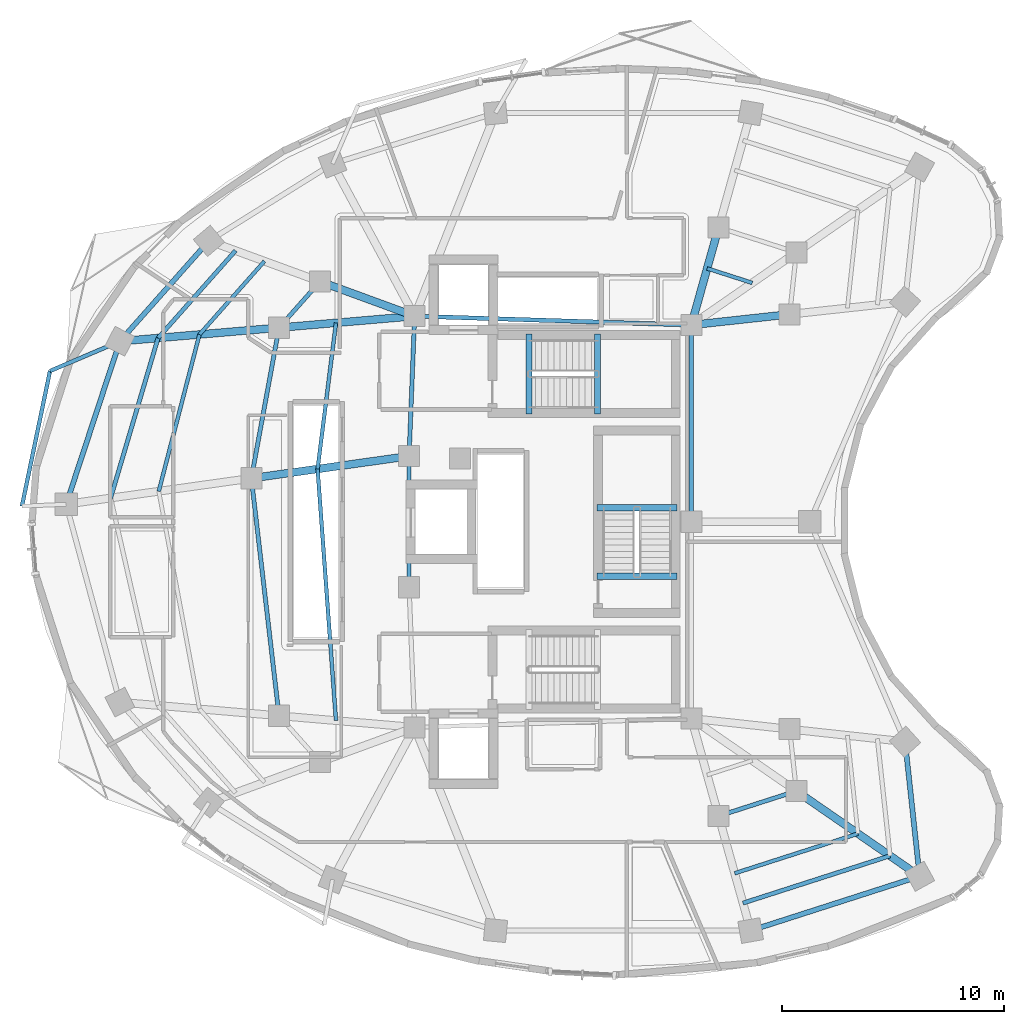
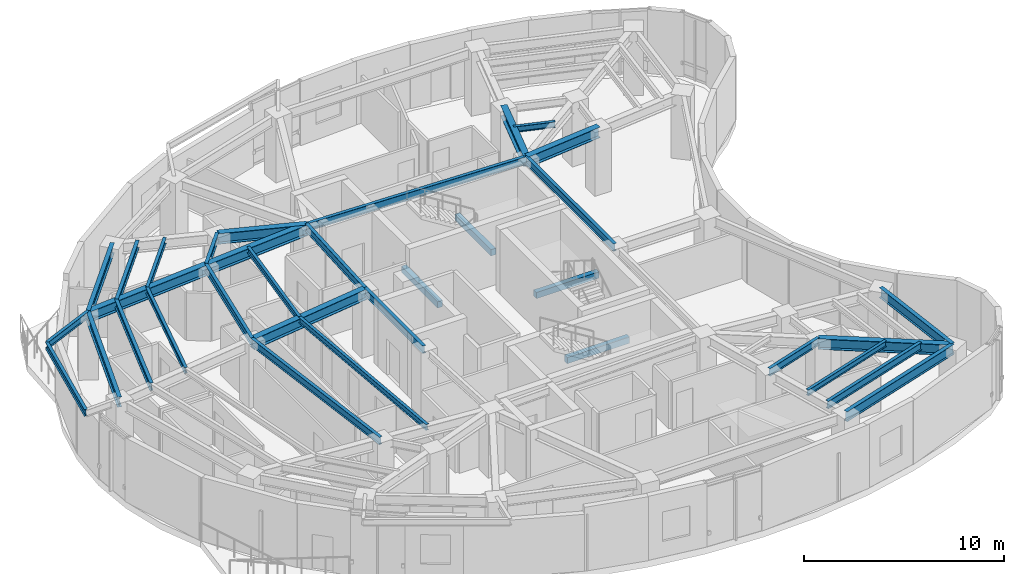
# One storey, part 3 of 13: 34 beams.
"""IFC4 building model written with IfcOpenShell, lengths in metres."""

from ifc_helpers import new_model, si_unit, direction, frame, origin, origin_2d, place, context, subcontext, project, spatial, rectangle, i_section, extrude, material, material_profile, profile_set, type_object, element, save


model = new_model("IFC4")

# Units and contexts
model_context = context("Model", 3, precision=1e-05, world=origin(), true_north=direction((0.0, 1.0)))
body_context = subcontext(model_context, "Body", "Model", "MODEL_VIEW")
ifc_project = project(units=[si_unit("LENGTHUNIT", "METRE"), si_unit("AREAUNIT", "SQUARE_METRE"), si_unit("VOLUMEUNIT", "CUBIC_METRE"), si_unit("PLANEANGLEUNIT", "RADIAN"), si_unit("MASSUNIT", "GRAM", prefix="KILO")], contexts=[model_context])

# Site, building, storey
site_placement = place(None, origin())
site = spatial("IfcSite", under=ifc_project, at=site_placement, CompositionType="ELEMENT")
building_placement = place(site_placement, origin())
building = spatial("IfcBuilding", under=site, at=building_placement, Name="Korentha Bioscience Tower", CompositionType="ELEMENT")
storey_placement = place(building_placement, frame((0.0, 0.0, 166.800048828125)))
storey = spatial("IfcBuildingStorey", under=building, at=storey_placement, Name="L38", CompositionType="ELEMENT", Elevation=166.800048828125)

# Beams
ifc_material_1 = material(Name="Concrete C50", Category="concrete")
ifc_material_profile_1 = material_profile(ifc_material_1, rectangle(XDim=0.280029296875, YDim=0.3798828125, at=origin_2d()), Name="Concrete C50")
ifc_profile_set_1 = profile_set([ifc_material_profile_1], Name="Concrete C50 (ST-HB380)")
beam_type_1 = type_object("IfcBeamType", Name="Concrete Stair Header Beam RC 280x380", PredefinedType="BEAM", material=ifc_profile_set_1)
for number, where, z_axis, x_axis, name in (
    (1, (30.25, 31.85009765625, -0.18994140625), (0.0, 1.0, 0.0), (-1.0, 0.0, 0.0), "L38 ST-1 Concrete Stair Header Beam"),
    (2, (33.330078125, 31.85009765625, 1.909912109375), (0.0, 1.0, 0.0), (-1.0, 0.0, 0.0), "L38 ST-1 Half-Landing Header Beam 1"),
    (3, (36.89990234375, 24.550048828125, -0.18994140625), (-1.0, 0.0, 0.0), (0.0, -1.0, 0.0), "L38 ST-3 Concrete Stair Header Beam"),
    (4, (36.89990234375, 27.6298828125, 1.909912109375), (-1.0, 0.0, 0.0), (0.0, -1.0, 0.0), "L38 ST-3 Half-Landing Header Beam 1"),
):
    element("IfcBeam", number, at=place(storey_placement, frame(where, z_axis=z_axis, x_axis=x_axis)), inside=storey, type_object=beam_type_1, Name=name, PredefinedType="BEAM", context=body_context, shape_type="SweptSolid", body=[
        extrude(rectangle(XDim=0.280029296875, YDim=0.3798828125, at=origin_2d()), origin(), (0.0, 0.0, 1.0), 3.599853515625),
    ])
ifc_material_2 = material(Name="Steel S355", Category="steel")
ifc_material_profile_2 = material_profile(ifc_material_2, i_section(OverallWidth=0.18994140625, OverallDepth=0.45703125, WebThickness=0.009033203125, FlangeThickness=0.014404296875, at=origin_2d()), Name="Steel S355")
ifc_profile_set_2 = profile_set([ifc_material_profile_2], Name="Steel S355 (MB-460)")
beam_type_2 = type_object("IfcBeamType", Name="Mid-Ring Tie Girder W460x74", PredefinedType="BEAM", material=ifc_profile_set_2)
beam_1_placement = place(storey_placement, frame((20.84228515625, 37.807861328125, 3.67138671875), z_axis=(-0.663512238321, -0.748165429299, 0.0), x_axis=(0.748165429299, -0.663512238321, 0.0)))
element("IfcBeam", 5, at=beam_1_placement, inside=storey, type_object=beam_type_2, Name="L38 Mid-Ring Tie Girder 05", PredefinedType="BEAM", context=body_context, shape_type="SweptSolid", body=[
    extrude(i_section(OverallWidth=0.18994140625, OverallDepth=0.45703125, WebThickness=0.009033203125, FlangeThickness=0.014404296875, at=origin_2d()), origin(), (0.0, 0.0, 1.0), 2.77734375),
])
beam_2_placement = place(storey_placement, frame((18.99951171875, 35.72998046875, 3.67138671875), z_axis=(-0.180880998363, -0.98350498953, 0.0), x_axis=(0.98350498953, -0.180880998363, 0.0)))
element("IfcBeam", 6, at=beam_2_placement, inside=storey, type_object=beam_type_2, Name="L38 Mid-Ring Tie Girder 06", PredefinedType="BEAM", context=body_context, shape_type="SweptSolid", body=[
    extrude(i_section(OverallWidth=0.18994140625, OverallDepth=0.45703125, WebThickness=0.009033203125, FlangeThickness=0.014404296875, at=origin_2d()), origin(), (0.0, 0.0, 1.0), 6.888916015625),
])
beam_3_placement = place(storey_placement, frame((17.75341796875, 28.95458984375, 3.67138671875), z_axis=(0.115840395246, -0.993267840428, 0.0), x_axis=(0.993267840428, 0.115840395246, 0.0)))
element("IfcBeam", 7, at=beam_3_placement, inside=storey, type_object=beam_type_2, Name="L38 Mid-Ring Tie Girder 07", PredefinedType="BEAM", context=body_context, shape_type="SweptSolid", body=[
    extrude(i_section(OverallWidth=0.18994140625, OverallDepth=0.45703125, WebThickness=0.009033203125, FlangeThickness=0.014404296875, at=origin_2d()), origin(), (0.0, 0.0, 1.0), 10.757080078125),
])
beam_4_placement = place(storey_placement, frame((38.77880859375, 13.7587890625, 3.67138671875), z_axis=(0.952000195343, 0.306097415976, 0.0), x_axis=(-0.306097415976, 0.952000195343, 0.0)))
element("IfcBeam", 8, at=beam_4_placement, inside=storey, type_object=beam_type_2, Name="L38 Mid-Ring Tie Girder 12", PredefinedType="BEAM", context=body_context, shape_type="SweptSolid", body=[
    extrude(i_section(OverallWidth=0.18994140625, OverallDepth=0.45703125, WebThickness=0.009033203125, FlangeThickness=0.014404296875, at=origin_2d()), origin(), (0.0, 0.0, 1.0), 3.672119140625),
])
beam_5_placement = place(storey_placement, frame((37.550048828125, 35.85009765625, 3.67138671875), z_axis=(-0.999484526071, 0.032104238723, 0.0), x_axis=(-0.032104238723, -0.999484526071, 0.0)))
element("IfcBeam", 9, at=beam_5_placement, inside=storey, type_object=beam_type_2, Name="L38 Core Ring Tie Girder 01", PredefinedType="BEAM", context=body_context, shape_type="SweptSolid", body=[
    extrude(i_section(OverallWidth=0.18994140625, OverallDepth=0.45703125, WebThickness=0.009033203125, FlangeThickness=0.014404296875, at=origin_2d()), origin(), (0.0, 0.0, 1.0), 12.456298828125),
])
beam_6_placement = place(storey_placement, frame((25.10009765625, 36.25, 3.67138671875), z_axis=(-0.039651025576, -0.999213588864, 0.0), x_axis=(0.999213588864, -0.039651025576, 0.0)))
element("IfcBeam", 10, at=beam_6_placement, inside=storey, type_object=beam_type_2, Name="L38 Core Ring Tie Girder 02", PredefinedType="BEAM", context=body_context, shape_type="SweptSolid", body=[
    extrude(i_section(OverallWidth=0.18994140625, OverallDepth=0.45703125, WebThickness=0.009033203125, FlangeThickness=0.014404296875, at=origin_2d()), origin(), (0.0, 0.0, 1.0), 6.304931640625),
])
beam_7_placement = place(storey_placement, frame((24.85009765625, 29.949951171875, 3.67138671875), z_axis=(0.0, -1.0, 0.0), x_axis=(1.0, 0.0, 0.0)))
element("IfcBeam", 11, at=beam_7_placement, inside=storey, type_object=beam_type_2, Name="L38 Core Ring Tie Girder 03", PredefinedType="BEAM", context=body_context, shape_type="SweptSolid", body=[
    extrude(i_section(OverallWidth=0.18994140625, OverallDepth=0.45703125, WebThickness=0.009033203125, FlangeThickness=0.014404296875, at=origin_2d()), origin(), (0.0, 0.0, 1.0), 5.89990234375),
])
beam_8_placement = place(storey_placement, frame((37.550048828125, 27.0, 3.67138671875), z_axis=(0.0, 1.0, 0.0), x_axis=(-1.0, 0.0, 0.0)))
element("IfcBeam", 12, at=beam_8_placement, inside=storey, type_object=beam_type_2, Name="L38 Core Ring Tie Girder 07", PredefinedType="BEAM", context=body_context, shape_type="SweptSolid", body=[
    extrude(i_section(OverallWidth=0.18994140625, OverallDepth=0.45703125, WebThickness=0.009033203125, FlangeThickness=0.014404296875, at=origin_2d()), origin(), (0.0, 0.0, 1.0), 8.85009765625),
])
ifc_material_profile_3 = material_profile(ifc_material_2, i_section(OverallWidth=0.22802734375, OverallDepth=0.60791015625, WebThickness=0.01123046875, FlangeThickness=0.017333984375, at=origin_2d()), Name="Steel S355")
ifc_profile_set_3 = profile_set([ifc_material_profile_3], Name="Steel S355 (SB-610)")
beam_type_3 = type_object("IfcBeamType", Name="Perimeter Ring Spandrel Girder W610x113", PredefinedType="SPANDREL", material=ifc_profile_set_3)
beam_9_placement = place(storey_placement, frame((15.843994140625, 39.63671875, 3.595947265625), z_axis=(-0.663502544942, -0.748174025782, 0.0), x_axis=(0.748174025782, -0.663502544942, 0.0)))
element("IfcBeam", 13, at=beam_9_placement, inside=storey, type_object=beam_type_3, Name="L38 Perimeter Spandrel Girder 05", PredefinedType="SPANDREL", context=body_context, shape_type="SweptSolid", body=[
    extrude(i_section(OverallWidth=0.22802734375, OverallDepth=0.60791015625, WebThickness=0.01123046875, FlangeThickness=0.017333984375, at=origin_2d()), origin(), (0.0, 0.0, 1.0), 6.037841796875),
])
beam_10_placement = place(storey_placement, frame((11.837890625, 35.119384765625, 3.595947265625), z_axis=(-0.312820215824, -0.949812356506, 0.0), x_axis=(0.949812356506, -0.312820215824, 0.0)))
element("IfcBeam", 14, at=beam_10_placement, inside=storey, type_object=beam_type_3, Name="L38 Perimeter Spandrel Girder 06", PredefinedType="SPANDREL", context=body_context, shape_type="SweptSolid", body=[
    extrude(i_section(OverallWidth=0.22802734375, OverallDepth=0.60791015625, WebThickness=0.01123046875, FlangeThickness=0.017333984375, at=origin_2d()), origin(), (0.0, 0.0, 1.0), 7.720947265625),
])
beam_11_placement = place(storey_placement, frame((40.22119140625, 8.60400390625, 3.595947265625), z_axis=(0.952008512555, 0.306071547228, 0.0), x_axis=(-0.306071547228, 0.952008512555, 0.0)))
element("IfcBeam", 15, at=beam_11_placement, inside=storey, type_object=beam_type_3, Name="L38 Perimeter Spandrel Girder 12", PredefinedType="SPANDREL", context=body_context, shape_type="SweptSolid", body=[
    extrude(i_section(OverallWidth=0.22802734375, OverallDepth=0.60791015625, WebThickness=0.01123046875, FlangeThickness=0.017333984375, at=origin_2d()), origin(), (0.0, 0.0, 1.0), 7.98291015625),
])
beam_12_placement = place(storey_placement, frame((47.821044921875, 11.04736328125, 3.595947265625), z_axis=(-0.10732012232, 0.994224517574, 0.0), x_axis=(-0.994224517574, -0.10732012232, 0.0)))
element("IfcBeam", 16, at=beam_12_placement, inside=storey, type_object=beam_type_3, Name="L38 Perimeter Spandrel Girder 13", PredefinedType="SPANDREL", context=body_context, shape_type="SweptSolid", body=[
    extrude(i_section(OverallWidth=0.22802734375, OverallDepth=0.60791015625, WebThickness=0.01123046875, FlangeThickness=0.017333984375, at=origin_2d()), origin(), (0.0, 0.0, 1.0), 6.08984375),
])
ifc_material_profile_4 = material_profile(ifc_material_2, i_section(OverallWidth=0.18994140625, OverallDepth=0.45703125, WebThickness=0.009033203125, FlangeThickness=0.014404296875, at=origin_2d()), Name="Steel S355")
ifc_profile_set_4 = profile_set([ifc_material_profile_4], Name="Steel S355 (RB-460)")
beam_type_4 = type_object("IfcBeamType", Name="Radial Laboratory Beam W460x74", PredefinedType="BEAM", material=ifc_profile_set_4)
beam_13_placement = place(storey_placement, frame((17.043701171875, 39.197998046875, 3.67138671875), z_axis=(-0.663495511182, -0.748180263467, 0.0), x_axis=(0.748180263467, -0.663495511182, 0.0)))
element("IfcBeam", 17, at=beam_13_placement, inside=storey, type_object=beam_type_4, Name="L38 Secondary Floor Beam JSTO-05", PredefinedType="BEAM", context=body_context, shape_type="SweptSolid", body=[
    extrude(i_section(OverallWidth=0.18994140625, OverallDepth=0.45703125, WebThickness=0.009033203125, FlangeThickness=0.014404296875, at=origin_2d()), origin(), (0.0, 0.0, 1.0), 5.255615234375),
])
beam_14_placement = place(storey_placement, frame((13.556640625, 35.265869140625, 3.67138671875), z_axis=(-0.284283148615, -0.958740367051, 0.0), x_axis=(0.958740367051, -0.284283148615, 0.0)))
element("IfcBeam", 18, at=beam_14_placement, inside=storey, type_object=beam_type_4, Name="L38 Secondary Floor Beam JSTO-06", PredefinedType="BEAM", context=body_context, shape_type="SweptSolid", body=[
    extrude(i_section(OverallWidth=0.18994140625, OverallDepth=0.45703125, WebThickness=0.009033203125, FlangeThickness=0.014404296875, at=origin_2d()), origin(), (0.0, 0.0, 1.0), 7.50927734375),
])
beam_15_placement = place(storey_placement, frame((39.875, 9.84130859375, 3.67138671875), z_axis=(0.952009183817, 0.306069459318, 0.0), x_axis=(-0.306069459318, 0.952009183817, 0.0)))
element("IfcBeam", 19, at=beam_15_placement, inside=storey, type_object=beam_type_4, Name="L38 Secondary Floor Beam JSTO-12", PredefinedType="BEAM", context=body_context, shape_type="SweptSolid", body=[
    extrude(i_section(OverallWidth=0.18994140625, OverallDepth=0.45703125, WebThickness=0.009033203125, FlangeThickness=0.014404296875, at=origin_2d()), origin(), (0.0, 0.0, 1.0), 6.948486328125),
])
ifc_material_profile_5 = material_profile(ifc_material_2, i_section(OverallWidth=0.35009765625, OverallDepth=0.64990234375, WebThickness=0.01611328125, FlangeThickness=0.02490234375, at=origin_2d()), Name="Steel S355")
ifc_profile_set_5 = profile_set([ifc_material_profile_5], Name="Steel S355 (RB-650)")
beam_type_5 = type_object("IfcBeamType", Name="Radial Laboratory Girder CVS 650x208", PredefinedType="BEAM", material=ifc_profile_set_5)
beam_16_placement = place(storey_placement, frame((37.550048828125, 35.85009765625, 3.574951171875), z_axis=(0.269477001654, 0.963006825303, 0.0), x_axis=(-0.963006825303, 0.269477001654, 0.0)))
element("IfcBeam", 20, at=beam_16_placement, inside=storey, type_object=beam_type_5, Name="L38 Inner Radial Girder 02", PredefinedType="BEAM", context=body_context, shape_type="SweptSolid", body=[
    extrude(i_section(OverallWidth=0.35009765625, OverallDepth=0.64990234375, WebThickness=0.01611328125, FlangeThickness=0.02490234375, at=origin_2d()), origin(), (0.0, 0.0, 1.0), 4.559814453125),
])
beam_17_placement = place(storey_placement, frame((25.10009765625, 36.25, 3.574951171875), z_axis=(-0.939113952431, 0.343605856105, 0.0), x_axis=(-0.343605856105, -0.939113952431, 0.0)))
element("IfcBeam", 21, at=beam_17_placement, inside=storey, type_object=beam_type_5, Name="L38 Inner Radial Girder 05", PredefinedType="BEAM", context=body_context, shape_type="SweptSolid", body=[
    extrude(i_section(OverallWidth=0.35009765625, OverallDepth=0.64990234375, WebThickness=0.01611328125, FlangeThickness=0.02490234375, at=origin_2d()), origin(), (0.0, 0.0, 1.0), 4.533935546875),
])
beam_18_placement = place(storey_placement, frame((25.10009765625, 36.25, 3.574951171875), z_axis=(-0.996386672138, -0.084932912264, 0.0), x_axis=(0.084932912264, -0.996386672138, 0.0)))
element("IfcBeam", 22, at=beam_18_placement, inside=storey, type_object=beam_type_5, Name="L38 Inner Radial Girder 06", PredefinedType="BEAM", context=body_context, shape_type="SweptSolid", body=[
    extrude(i_section(OverallWidth=0.35009765625, OverallDepth=0.64990234375, WebThickness=0.01611328125, FlangeThickness=0.02490234375, at=origin_2d()), origin(), (0.0, 0.0, 1.0), 6.122802734375),
])
beam_19_placement = place(storey_placement, frame((18.99951171875, 35.72998046875, 3.574951171875), z_axis=(-0.996385111181, -0.084951222577, 0.0), x_axis=(0.084951222577, -0.996385111181, 0.0)))
element("IfcBeam", 23, at=beam_19_placement, inside=storey, type_object=beam_type_5, Name="L38 Outer Radial Girder 06", PredefinedType="BEAM", context=body_context, shape_type="SweptSolid", body=[
    extrude(i_section(OverallWidth=0.35009765625, OverallDepth=0.64990234375, WebThickness=0.01611328125, FlangeThickness=0.02490234375, at=origin_2d()), origin(), (0.0, 0.0, 1.0), 7.1875),
])
beam_20_placement = place(storey_placement, frame((24.85009765625, 29.949951171875, 3.574951171875), z_axis=(-0.990306724295, -0.138897774699, 0.0), x_axis=(0.138897774699, -0.990306724295, 0.0)))
element("IfcBeam", 24, at=beam_20_placement, inside=storey, type_object=beam_type_5, Name="L38 Inner Radial Girder 07", PredefinedType="BEAM", context=body_context, shape_type="SweptSolid", body=[
    extrude(i_section(OverallWidth=0.35009765625, OverallDepth=0.64990234375, WebThickness=0.01611328125, FlangeThickness=0.02490234375, at=origin_2d()), origin(), (0.0, 0.0, 1.0), 7.166259765625),
])
beam_21_placement = place(storey_placement, frame((42.274658203125, 14.8828125, 3.574951171875), z_axis=(0.822494455845, -0.568773127094, 0.0), x_axis=(0.568773127094, 0.822494455845, 0.0)))
element("IfcBeam", 25, at=beam_21_placement, inside=storey, type_object=beam_type_5, Name="L38 Outer Radial Girder 13", PredefinedType="BEAM", context=body_context, shape_type="SweptSolid", body=[
    extrude(i_section(OverallWidth=0.35009765625, OverallDepth=0.64990234375, WebThickness=0.01611328125, FlangeThickness=0.02490234375, at=origin_2d()), origin(), (0.0, 0.0, 1.0), 6.743408203125),
])
beam_22_placement = place(storey_placement, frame((37.550048828125, 35.85009765625, 3.574951171875), z_axis=(0.994118939953, 0.108293735857, 0.0), x_axis=(-0.108293735857, 0.994118939953, 0.0)))
element("IfcBeam", 26, at=beam_22_placement, inside=storey, type_object=beam_type_5, Name="L38 Inner Radial Girder 16", PredefinedType="BEAM", context=body_context, shape_type="SweptSolid", body=[
    extrude(i_section(OverallWidth=0.35009765625, OverallDepth=0.64990234375, WebThickness=0.01611328125, FlangeThickness=0.02490234375, at=origin_2d()), origin(), (0.0, 0.0, 1.0), 4.4501953125),
])
ifc_material_profile_6 = material_profile(ifc_material_2, i_section(OverallWidth=0.1708984375, OverallDepth=0.35498046875, WebThickness=0.007080078125, FlangeThickness=0.01171875, at=origin_2d()), Name="Steel S355")
ifc_profile_set_6 = profile_set([ifc_material_profile_6], Name="Steel S355 (JB-360)")
beam_type_6 = type_object("IfcBeamType", Name="Secondary Laboratory Joist W360x51", PredefinedType="JOIST", material=ifc_profile_set_6)
beam_23_placement = place(storey_placement, frame((40.290283203125, 37.7451171875, 3.722412109375), z_axis=(-0.952010669267, 0.306064838885, 0.0), x_axis=(-0.306064838885, -0.952010669267, 0.0)))
element("IfcBeam", 27, at=beam_23_placement, inside=storey, type_object=beam_type_6, Name="L38 Inner Bay Joist 01", PredefinedType="JOIST", context=body_context, shape_type="SweptSolid", body=[
    extrude(i_section(OverallWidth=0.1708984375, OverallDepth=0.35498046875, WebThickness=0.007080078125, FlangeThickness=0.01171875, at=origin_2d()), origin(), (0.0, 0.0, 1.0), 2.1298828125),
])
beam_24_placement = place(storey_placement, frame((18.343017578125, 38.722412109375, 3.722412109375), z_axis=(-0.663462598754, -0.748209449322, 0.0), x_axis=(0.748209449322, -0.663462598754, 0.0)))
element("IfcBeam", 28, at=beam_24_placement, inside=storey, type_object=beam_type_6, Name="L38 Secondary Floor Beam JST-05", PredefinedType="JOIST", context=body_context, shape_type="SweptSolid", body=[
    extrude(i_section(OverallWidth=0.1708984375, OverallDepth=0.35498046875, WebThickness=0.007080078125, FlangeThickness=0.01171875, at=origin_2d()), origin(), (0.0, 0.0, 1.0), 4.40771484375),
])
beam_25_placement = place(storey_placement, frame((15.418701171875, 35.424560546875, 3.722412109375), z_axis=(-0.251203958933, -0.967934177006, 0.0), x_axis=(0.967934177006, -0.251203958933, 0.0)))
element("IfcBeam", 29, at=beam_25_placement, inside=storey, type_object=beam_type_6, Name="L38 Secondary Floor Beam JST-06", PredefinedType="JOIST", context=body_context, shape_type="SweptSolid", body=[
    extrude(i_section(OverallWidth=0.1708984375, OverallDepth=0.35498046875, WebThickness=0.007080078125, FlangeThickness=0.01171875, at=origin_2d()), origin(), (0.0, 0.0, 1.0), 7.2880859375),
])
beam_26_placement = place(storey_placement, frame((21.561767578125, 35.9482421875, 3.722412109375), z_axis=(-0.124914239886, -0.992167542643, 0.0), x_axis=(0.992167542643, -0.124914239886, 0.0)))
element("IfcBeam", 30, at=beam_26_placement, inside=storey, type_object=beam_type_6, Name="L38 Inner Bay Joist 06", PredefinedType="JOIST", context=body_context, shape_type="SweptSolid", body=[
    extrude(i_section(OverallWidth=0.1708984375, OverallDepth=0.35498046875, WebThickness=0.007080078125, FlangeThickness=0.01171875, at=origin_2d()), origin(), (0.0, 0.0, 1.0), 6.627685546875),
])
beam_27_placement = place(storey_placement, frame((20.73388671875, 29.37255859375, 3.722412109375), z_axis=(0.072934416258, -0.997336738983, 0.0), x_axis=(0.997336738983, 0.072934416258, 0.0)))
element("IfcBeam", 31, at=beam_27_placement, inside=storey, type_object=beam_type_6, Name="L38 Inner Bay Joist 07", PredefinedType="JOIST", context=body_context, shape_type="SweptSolid", body=[
    extrude(i_section(OverallWidth=0.1708984375, OverallDepth=0.35498046875, WebThickness=0.007080078125, FlangeThickness=0.01171875, at=origin_2d()), origin(), (0.0, 0.0, 1.0), 11.35107421875),
])
beam_28_placement = place(storey_placement, frame((39.5, 11.181396484375, 3.722412109375), z_axis=(0.952005892166, 0.306079697596, 0.0), x_axis=(-0.306079697596, 0.952005892166, 0.0)))
element("IfcBeam", 32, at=beam_28_placement, inside=storey, type_object=beam_type_6, Name="L38 Secondary Floor Beam JST-12", PredefinedType="JOIST", context=body_context, shape_type="SweptSolid", body=[
    extrude(i_section(OverallWidth=0.1708984375, OverallDepth=0.35498046875, WebThickness=0.007080078125, FlangeThickness=0.01171875, at=origin_2d()), origin(), (0.0, 0.0, 1.0), 5.82763671875),
])
ifc_material_profile_7 = material_profile(ifc_material_2, i_section(OverallWidth=0.177978515625, OverallDepth=0.406982421875, WebThickness=0.0078125, FlangeThickness=0.0126953125, at=origin_2d()), Name="Steel S355")
ifc_profile_set_7 = profile_set([ifc_material_profile_7], Name="Steel S355 (CB-410)")
beam_type_7 = type_object("IfcBeamType", Name="Sun-Ledge Cantilever Beam W410x60", PredefinedType="BEAM", material=ifc_profile_set_7)
beam_29_placement = place(storey_placement, frame((11.837890625, 35.119384765625, 3.698486328125), z_axis=(-0.920106971174, -0.391667156648, 0.0), x_axis=(0.391667156648, -0.920106971174, 0.0)))
element("IfcBeam", 33, at=beam_29_placement, inside=storey, type_object=beam_type_7, Name="L38 Balcony Cantilever Bracket A-L39-02", PredefinedType="BEAM", context=body_context, shape_type="SweptSolid", body=[
    extrude(i_section(OverallWidth=0.177978515625, OverallDepth=0.406982421875, WebThickness=0.0078125, FlangeThickness=0.0126953125, at=origin_2d()), origin(), (0.0, 0.0, 1.0), 3.41650390625),
])
beam_30_placement = place(storey_placement, frame((8.6943359375, 33.78125, 3.698486328125), z_axis=(-0.203313854561, -0.979113617791, 0.0), x_axis=(0.979113617791, -0.203313854561, 0.0)))
element("IfcBeam", 34, at=beam_30_placement, inside=storey, type_object=beam_type_7, Name="L38 Balcony Edge Trimmer Beam L39-02", PredefinedType="BEAM", context=body_context, shape_type="SweptSolid", body=[
    extrude(i_section(OverallWidth=0.177978515625, OverallDepth=0.406982421875, WebThickness=0.0078125, FlangeThickness=0.0126953125, at=origin_2d()), origin(), (0.0, 0.0, 1.0), 6.211669921875),
])

save(model, "model.ifc")
